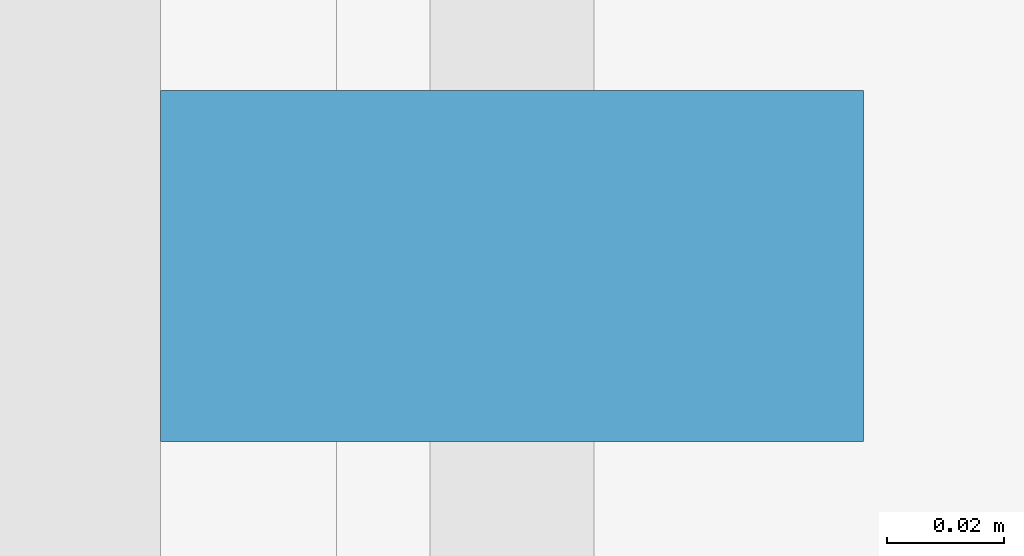
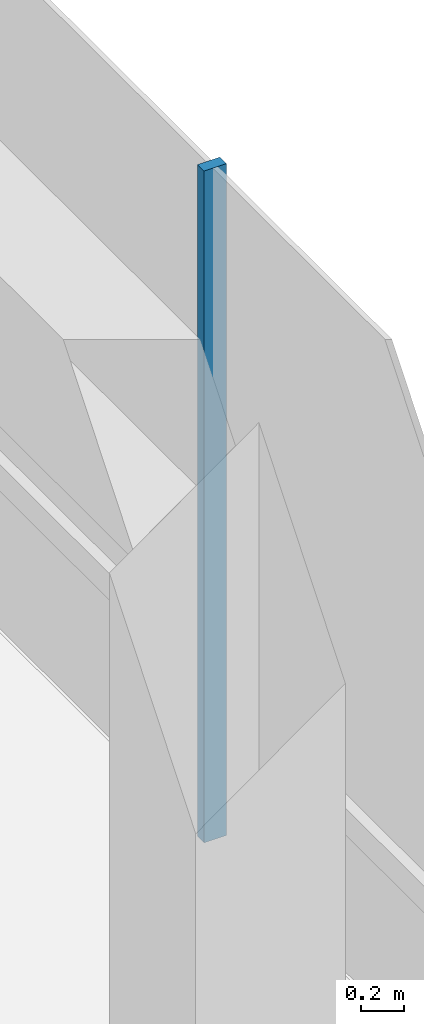
# One storey, part 14 of 23: 1 member, 1 element without a shape of its own.
"""IFC4 building model written with IfcOpenShell, lengths in metres."""

from ifc_helpers import new_model, si_unit, direction, frame, origin, origin_2d, place, context, subcontext, project, spatial, rectangle, extrude, material, layer, layer_set, material_profile, profile_set, type_object, element, aggregate, save


model = new_model("IFC4")

# Units and contexts
model_context = context("Model", 3, precision=1e-05, world=origin(), true_north=direction((0.0, 1.0)))
body_context = subcontext(model_context, "Body", "Model", "MODEL_VIEW")
ifc_project = project(units=[si_unit("LENGTHUNIT", "METRE"), si_unit("AREAUNIT", "SQUARE_METRE"), si_unit("VOLUMEUNIT", "CUBIC_METRE"), si_unit("PLANEANGLEUNIT", "RADIAN"), si_unit("MASSUNIT", "GRAM", prefix="KILO")], contexts=[model_context])

# Site, building, storey
site_placement = place(None, origin())
site = spatial("IfcSite", under=ifc_project, at=site_placement, CompositionType="ELEMENT")
building_placement = place(site_placement, origin())
building = spatial("IfcBuilding", under=site, at=building_placement, Name="Welwitschia Terrace Campus", CompositionType="ELEMENT")
storey_placement = place(building_placement, frame((0.0, 0.0, 209.60009765625)))
storey = spatial("IfcBuildingStorey", under=building, at=storey_placement, Name="L46", CompositionType="ELEMENT", Elevation=209.60009765625)

# Curtain wall, member
ifc_material_1 = material(Name="Bronze anodised aluminium", Category="aluminium")
ifc_layer = layer(ifc_material_1, 0.1201171875)
ifc_layer_set = layer_set([ifc_layer], Name="Bronze anodised aluminium")
curtain_wall_type = type_object("IfcCurtainWallType", Name="Curtain wall CW2 tower 6000", PredefinedType="NOTDEFINED", material=ifc_layer_set)
curtain_wall_placement = place(storey_placement, origin())
curtain_wall = element("IfcCurtainWall", 1, at=curtain_wall_placement, inside=storey, type_object=curtain_wall_type, Name="CW L46.7.0", PredefinedType="NOTDEFINED")
ifc_material_2 = material(Name="Bronze anodised aluminium", Category="aluminium")
ifc_material_profile = material_profile(ifc_material_2, rectangle(XDim=0.1201171875, YDim=0.06005859375, at=origin_2d()))
ifc_profile_set = profile_set([ifc_material_profile], Name="Bronze anodised aluminium")
member_type = type_object("IfcMemberType", Name="Mullion 60x120", PredefinedType="MULLION", material=ifc_profile_set)
member_placement = place(storey_placement, frame((25.030029296875, 53.92626953125, 0.0), z_axis=(0.0, 0.0, 1.0), x_axis=(-1.0, 0.0, 0.0)))
member = element("IfcMember", 2, at=member_placement, type_object=member_type, Name="Mullion L46.7.0.3", PredefinedType="MULLION", context=body_context, shape_type="SweptSolid", body=[
    extrude(rectangle(XDim=0.1201171875, YDim=0.06005859375, at=origin_2d()), origin(), (0.0, 0.0, 1.0), 3.7998046875),
])
aggregate(curtain_wall, [member])

save(model, "model.ifc")
